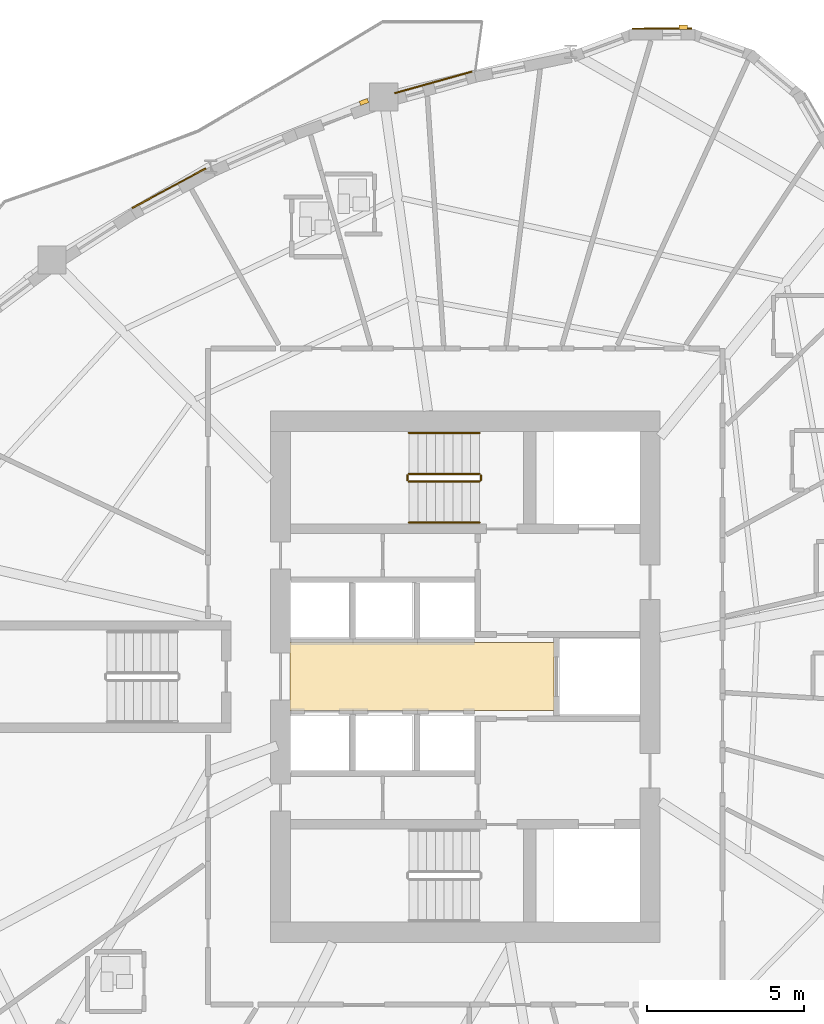
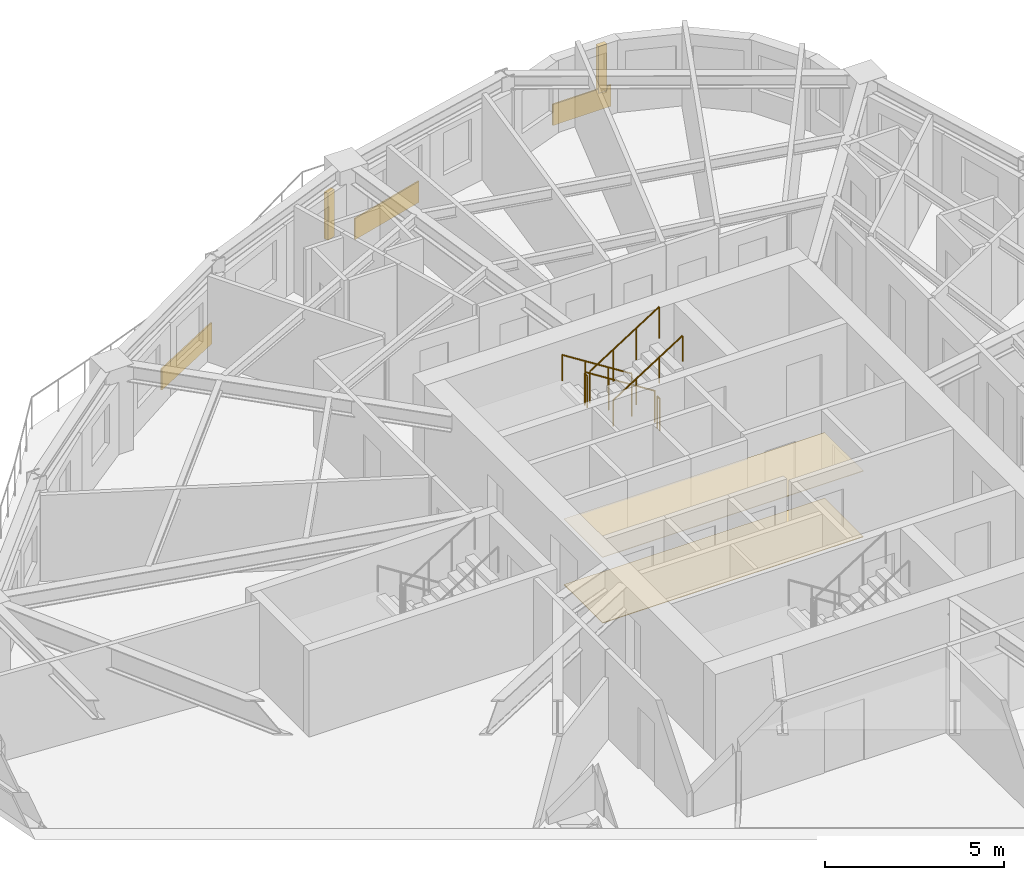
# One storey, part 15 of 17: 6 railings, 5 coverings, 2 shading devices.
"""IFC4 building model written with IfcOpenShell, lengths in metres."""

from ifc_helpers import new_model, si_unit, direction, frame, origin, origin_2d, place, context, subcontext, project, spatial, polyline, rectangle, circle, outline, extrude, source, transform, mapped, material, layer, layer_set, type_object, element, save


model = new_model("IFC4")

# Units and contexts
model_context = context("Model", 3, precision=1e-05, world=origin(), true_north=direction((0.0, 1.0)))
body_context = subcontext(model_context, "Body", "Model", "MODEL_VIEW")
ifc_project = project(units=[si_unit("LENGTHUNIT", "METRE"), si_unit("AREAUNIT", "SQUARE_METRE"), si_unit("VOLUMEUNIT", "CUBIC_METRE"), si_unit("PLANEANGLEUNIT", "RADIAN"), si_unit("MASSUNIT", "GRAM", prefix="KILO")], contexts=[model_context])

# Site, building, storey
site_placement = place(None, origin())
site = spatial("IfcSite", under=ifc_project, at=site_placement, CompositionType="ELEMENT")
building_placement = place(site_placement, origin())
building = spatial("IfcBuilding", under=site, at=building_placement, Name="Qafzar Sky-Pleat Residences", CompositionType="ELEMENT")
storey_placement = place(building_placement, frame((0.0, 0.0, 112.0)))
storey = spatial("IfcBuildingStorey", under=building, at=storey_placement, Name="L33", CompositionType="ELEMENT", Elevation=112.0)

# Coverings
ifc_material_1 = material(Name="Perforated acoustic gypsum board ceiling")
ifc_layer_1 = layer(ifc_material_1, 0.02001953125)
ifc_layer_set_1 = layer_set([ifc_layer_1], Name="Perforated acoustic gypsum board ceiling")
covering_type_1 = type_object("IfcCoveringType", Name="COV-CEIL-ACOUSTIC", PredefinedType="CEILING", material=ifc_layer_set_1)
covering_1_placement = place(storey_placement, frame((0.0, 0.0, 2.239990234375)))
element("IfcCovering", 1, at=covering_1_placement, inside=storey, type_object=covering_type_1, Name="L33 Passenger Lift Lobby Acoustic Ceiling", PredefinedType="CEILING", context=body_context, shape_type="SweptSolid", body=[
    extrude(outline(polyline([(33.179931640625, 24.919921875), (24.77001953125, 24.919921875), (24.77001953125, 27.080078125), (33.179931640625, 27.080078125), (33.179931640625, 24.919921875)])), origin(), (0.0, 0.0, 1.0), 0.02001953125),
])
ifc_material_2 = material(Name="Honed porcelain and Riyadh stone tile flooring", Category="masonry")
ifc_layer_2 = layer(ifc_material_2, 0.02001953125)
ifc_layer_set_2 = layer_set([ifc_layer_2], Name="Honed porcelain and Riyadh stone tile flooring")
covering_type_2 = type_object("IfcCoveringType", Name="COV-FLR-PORCELAIN", PredefinedType="FLOORING", material=ifc_layer_set_2)
covering_2_placement = place(storey_placement, origin())
element("IfcCovering", 2, at=covering_2_placement, inside=storey, type_object=covering_type_2, Name="L33 Passenger Lift Lobby Honed Stone Flooring", PredefinedType="FLOORING", context=body_context, shape_type="SweptSolid", body=[
    extrude(outline(polyline([(33.179931640625, 24.919921875), (24.77001953125, 24.919921875), (24.77001953125, 27.080078125), (33.179931640625, 27.080078125), (33.179931640625, 24.919921875)])), origin(), (0.0, 0.0, 1.0), 0.02001953125),
])

# Shading devices
ifc_material_3 = material(Name="Honed Riyadh limestone solar fin", Category="masonry")
ifc_layer_3 = layer(ifc_material_3, 0.139892578125)
ifc_layer_set_3 = layer_set([ifc_layer_3], Name="Honed Riyadh limestone solar fin")
shading_device_type = type_object("IfcShadingDeviceType", Name="SHD-FIN-STONE", PredefinedType="SHUTTER", material=ifc_layer_set_3)
shared_shape_1 = source(origin(), body_context, "Body", "SweptSolid", [
    extrude(rectangle(XDim=0.139892578125, YDim=0.280029296875, at=origin_2d()), origin(), (0.0, 0.0, 1.0), 1.60009765625),
])
for number, where, z_axis, x_axis, name in (
    (3, (37.282470703125, 46.656005859375, 0.599853515625), (0.0, 0.0, 1.0), (-0.006870821496, 0.999976395627, 0.0), "L33 Limestone Solar Fin 37"),
    (4, (27.129150390625, 44.275146484375, 0.599853515625), (0.0, 0.0, 1.0), (-0.338169484707, 0.941085224415, 0.0), "L33 Limestone Solar Fin 41"),
):
    element("IfcShadingDevice", number, at=place(storey_placement, frame(where, z_axis=z_axis, x_axis=x_axis)), inside=storey, type_object=shading_device_type, Name=name, PredefinedType="SHUTTER", context=body_context, shape_type="MappedRepresentation", body=[
        mapped(shared_shape_1, transform((0.0, 0.0, 0.0), x_axis=(1.0, 0.0, 0.0), y_axis=(0.0, 1.0, 0.0), z_axis=(0.0, 0.0, 1.0), scale=1.0)),
    ])

# Coverings
ifc_material_4 = material(Name="Honed Riyadh Tuwaiq limestone cladding", Category="masonry")
ifc_layer_4 = layer(ifc_material_4, 0.044921875)
ifc_layer_set_4 = layer_set([ifc_layer_4], Name="Honed Riyadh Tuwaiq limestone cladding")
covering_type_3 = type_object("IfcCoveringType", Name="COV-CLAD-STONE", PredefinedType="CLADDING", material=ifc_layer_set_4)
shared_shape_2 = source(origin(), body_context, "Body", "SweptSolid", [
    extrude(rectangle(XDim=1.88916015625, YDim=0.044921875, at=origin_2d()), origin(), (0.0, 0.0, 1.0), 0.719970703125),
])
covering_3_placement = place(storey_placement, frame((36.61083984375, 46.6083984375, 0.02001953125), z_axis=(0.0, 0.0, 1.0), x_axis=(-0.999976140267, -0.006907886628, 0.0)))
element("IfcCovering", 5, at=covering_3_placement, inside=storey, type_object=covering_type_3, Name="L33 Riyadh Limestone Spandrel Cladding 37", PredefinedType="CLADDING", context=body_context, shape_type="MappedRepresentation", body=[
    mapped(shared_shape_2, transform((0.0, 0.0, 0.0), x_axis=(1.0, 0.0, 0.0), y_axis=(0.0, 1.0, 0.0), z_axis=(0.0, 0.0, 1.0), scale=1.0)),
])
shared_shape_3 = source(origin(), body_context, "Body", "SweptSolid", [
    extrude(rectangle(XDim=2.554931640625, YDim=0.044921875, at=origin_2d()), origin(), (0.0, 0.0, 1.0), 0.719970703125),
])
covering_4_placement = place(storey_placement, frame((29.336181640625, 44.89599609375, 0.02001953125), z_axis=(0.0, 0.0, 1.0), x_axis=(-0.963033866317, -0.269380348813, 0.0)))
element("IfcCovering", 6, at=covering_4_placement, inside=storey, type_object=covering_type_3, Name="L33 Riyadh Limestone Spandrel Cladding 40", PredefinedType="CLADDING", context=body_context, shape_type="MappedRepresentation", body=[
    mapped(shared_shape_3, transform((0.0, 0.0, 0.0), x_axis=(1.0, 0.0, 0.0), y_axis=(0.0, 1.0, 0.0), z_axis=(0.0, 0.0, 1.0), scale=1.0)),
])
shared_shape_4 = source(origin(), body_context, "Body", "SweptSolid", [
    extrude(rectangle(XDim=2.654052734375, YDim=0.044921875, at=origin_2d()), origin(), (0.0, 0.0, 1.0), 0.719970703125),
])
covering_5_placement = place(storey_placement, frame((20.9296875, 41.5322265625, 0.02001953125), z_axis=(0.0, 0.0, 1.0), x_axis=(-0.880091901341, -0.474803375298, 0.0)))
element("IfcCovering", 7, at=covering_5_placement, inside=storey, type_object=covering_type_3, Name="L33 Riyadh Limestone Spandrel Cladding 43", PredefinedType="CLADDING", context=body_context, shape_type="MappedRepresentation", body=[
    mapped(shared_shape_4, transform((0.0, 0.0, 0.0), x_axis=(1.0, 0.0, 0.0), y_axis=(0.0, 1.0, 0.0), z_axis=(0.0, 0.0, 1.0), scale=1.0)),
])

# Railings
ifc_material_5 = material(Name="Painted Steel S355 stair guardrail", Category="steel")
railing_type_1 = type_object("IfcRailingType", Name="RAIL-STAIR-GUARD", PredefinedType="GUARDRAIL", material=ifc_material_5)
shared_shape_5 = source(origin(), body_context, "Body", "SweptSolid", [
    extrude(circle(Radius=0.02392578125, at=origin_2d()), frame((0.0, 0.0, 1.076171875), z_axis=(0.0, -1.0, 0.0), x_axis=(1.0, 0.0, 0.0)), (0.0, 0.0, 1.0), 0.14990234375),
    extrude(circle(Radius=0.02099609375, at=origin_2d()), origin(), (0.0, 0.0, 1.0), 1.052001953125),
    extrude(circle(Radius=0.02099609375, at=origin_2d()), frame((0.0, -0.14990234375, 0.0)), (0.0, 0.0, 1.0), 1.052001953125),
])
for number, where, name in (
    (8, (28.510009765625, 32.39990234375, 1.60009765625), "L33 ST2 stair guard 2"),
    (9, (30.85009765625, 32.39990234375, 0.0), "L33 ST2 stair guard 4"),
):
    element("IfcRailing", number, at=place(storey_placement, frame(where)), inside=storey, type_object=railing_type_1, Name=name, PredefinedType="GUARDRAIL", context=body_context, shape_type="MappedRepresentation", body=[
        mapped(shared_shape_5, transform((0.0, 0.0, 0.0), x_axis=(1.0, 0.0, 0.0), y_axis=(0.0, 1.0, 0.0), z_axis=(0.0, 0.0, 1.0), scale=1.0)),
    ])
shared_shape_6 = source(origin(), body_context, "Body", "SweptSolid", [
    extrude(circle(Radius=0.02392578125, at=origin_2d()), frame((0.0, 0.0, 1.076171875), z_axis=(0.8442293374, 0.0, 0.53598211339), x_axis=(0.0, 1.0, 0.0)), (0.0, 0.0, 1.0), 2.6533203125),
    extrude(circle(Radius=0.02099609375, at=origin_2d()), origin(), (0.0, 0.0, 1.0), 1.052001953125),
    extrude(circle(Radius=0.02099609375, at=origin_2d()), frame((0.74658203125, 0.0, 0.47412109375)), (0.0, 0.0, 1.0), 1.052001953125),
    extrude(circle(Radius=0.02099609375, at=origin_2d()), frame((1.493408203125, 0.0, 0.947998046875)), (0.0, 0.0, 1.0), 1.052001953125),
    extrude(circle(Radius=0.02099609375, at=origin_2d()), frame((2.239990234375, 0.0, 1.422119140625)), (0.0, 0.0, 1.0), 1.052001953125),
])
railing_1_placement = place(storey_placement, frame((28.56005859375, 32.199951171875, 1.77783203125)))
element("IfcRailing", 10, at=railing_1_placement, inside=storey, type_object=railing_type_1, Name="L33 ST2 stair guard 3", PredefinedType="GUARDRAIL", context=body_context, shape_type="MappedRepresentation", body=[
    mapped(shared_shape_6, transform((0.0, 0.0, 0.0), x_axis=(1.0, 0.0, 0.0), y_axis=(0.0, 1.0, 0.0), z_axis=(0.0, 0.0, 1.0), scale=1.0)),
])
ifc_material_6 = material(Name="Brushed stainless steel handrail", Category="steel")
railing_type_2 = type_object("IfcRailingType", Name="RAIL-STAIR-HAND", PredefinedType="HANDRAIL", material=ifc_material_6)
shared_shape_7 = source(origin(), body_context, "Body", "SweptSolid", [
    extrude(circle(Radius=0.02392578125, at=origin_2d()), frame((0.0, 0.0, 0.8759765625), z_axis=(0.8442293374, 0.0, 0.53598211339), x_axis=(0.0, 1.0, 0.0)), (0.0, 0.0, 1.0), 2.6533203125),
    extrude(circle(Radius=0.02099609375, at=origin_2d()), origin(), (0.0, 0.0, 1.0), 0.851806640625),
    extrude(circle(Radius=0.02099609375, at=origin_2d()), frame((0.74658203125, 0.0, 0.47412109375)), (0.0, 0.0, 1.0), 0.851806640625),
    extrude(circle(Radius=0.02099609375, at=origin_2d()), frame((1.493408203125, 0.0, 0.947998046875)), (0.0, 0.0, 1.0), 0.851806640625),
    extrude(circle(Radius=0.02099609375, at=origin_2d()), frame((2.239990234375, 0.0, 1.422119140625)), (0.0, 0.0, 1.0), 0.851806640625),
])
railing_2_placement = place(storey_placement, frame((28.56005859375, 30.89990234375, 1.77783203125)))
element("IfcRailing", 11, at=railing_2_placement, inside=storey, type_object=railing_type_2, Name="L33 ST2 stair handrail 2", PredefinedType="HANDRAIL", context=body_context, shape_type="MappedRepresentation", body=[
    mapped(shared_shape_7, transform((0.0, 0.0, 0.0), x_axis=(1.0, 0.0, 0.0), y_axis=(0.0, 1.0, 0.0), z_axis=(0.0, 0.0, 1.0), scale=1.0)),
])
shared_shape_8 = source(origin(), body_context, "Body", "SweptSolid", [
    extrude(circle(Radius=0.02392578125, at=origin_2d()), frame((0.0, 0.0, 1.076171875), z_axis=(-0.84418770128, 0.0, 0.536047689118), x_axis=(0.0, -1.0, 0.0)), (0.0, 0.0, 1.0), 2.6533203125),
    extrude(circle(Radius=0.02099609375, at=origin_2d()), origin(), (0.0, 0.0, 1.0), 1.052001953125),
    extrude(circle(Radius=0.02099609375, at=origin_2d()), frame((-0.74658203125, 0.0, 0.47412109375)), (0.0, 0.0, 1.0), 1.052001953125),
    extrude(circle(Radius=0.02099609375, at=origin_2d()), frame((-1.493408203125, 0.0, 0.9482421875)), (0.0, 0.0, 1.0), 1.052001953125),
    extrude(circle(Radius=0.02099609375, at=origin_2d()), frame((-2.239990234375, 0.0, 1.42236328125)), (0.0, 0.0, 1.0), 1.052001953125),
])
railing_3_placement = place(storey_placement, frame((30.800048828125, 32.449951171875, 0.177734375)))
element("IfcRailing", 12, at=railing_3_placement, inside=storey, type_object=railing_type_1, Name="L33 ST2 stair guard 1", PredefinedType="GUARDRAIL", context=body_context, shape_type="MappedRepresentation", body=[
    mapped(shared_shape_8, transform((0.0, 0.0, 0.0), x_axis=(1.0, 0.0, 0.0), y_axis=(0.0, 1.0, 0.0), z_axis=(0.0, 0.0, 1.0), scale=1.0)),
])
shared_shape_9 = source(origin(), body_context, "Body", "SweptSolid", [
    extrude(circle(Radius=0.02392578125, at=origin_2d()), frame((0.0, 0.0, 0.8759765625), z_axis=(-0.84418770128, 0.0, 0.536047689118), x_axis=(0.0, -1.0, 0.0)), (0.0, 0.0, 1.0), 2.6533203125),
    extrude(circle(Radius=0.02099609375, at=origin_2d()), origin(), (0.0, 0.0, 1.0), 0.851806640625),
    extrude(circle(Radius=0.02099609375, at=origin_2d()), frame((-0.74658203125, 0.0, 0.47412109375)), (0.0, 0.0, 1.0), 0.851806640625),
    extrude(circle(Radius=0.02099609375, at=origin_2d()), frame((-1.493408203125, 0.0, 0.9482421875)), (0.0, 0.0, 1.0), 0.851806640625),
    extrude(circle(Radius=0.02099609375, at=origin_2d()), frame((-2.239990234375, 0.0, 1.42236328125)), (0.0, 0.0, 1.0), 0.851806640625),
])
railing_4_placement = place(storey_placement, frame((30.800048828125, 33.75, 0.177734375)))
element("IfcRailing", 13, at=railing_4_placement, inside=storey, type_object=railing_type_2, Name="L33 ST2 stair handrail 1", PredefinedType="HANDRAIL", context=body_context, shape_type="MappedRepresentation", body=[
    mapped(shared_shape_9, transform((0.0, 0.0, 0.0), x_axis=(1.0, 0.0, 0.0), y_axis=(0.0, 1.0, 0.0), z_axis=(0.0, 0.0, 1.0), scale=1.0)),
])

save(model, "model.ifc")
